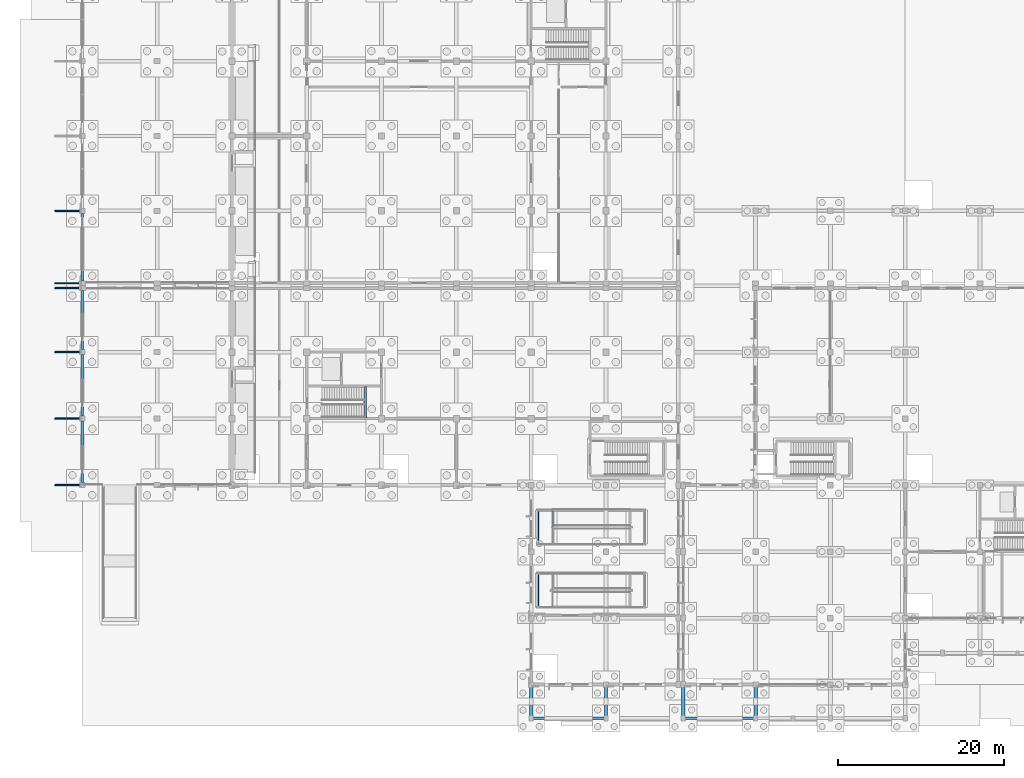
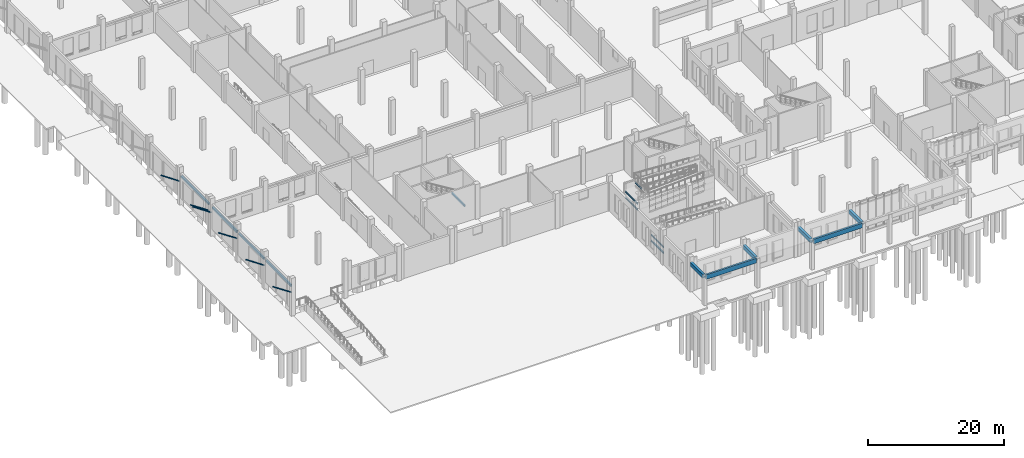
# One storey, part 37 of 99: 16 beams, 6 members.
"""IFC4 building model written with IfcOpenShell, lengths in metres."""

from ifc_helpers import new_model, si_unit, direction, frame, origin, origin_2d, place, context, subcontext, project, spatial, rectangle, hollow_circle, i_section, extrude, material, material_profile, profile_set, type_object, element, save


model = new_model("IFC4")

# Units and contexts
model_context = context("Model", 3, precision=1e-05, world=origin(), true_north=direction((0.0, 1.0)))
body_context = subcontext(model_context, "Body", "Model", "MODEL_VIEW")
ifc_project = project(units=[si_unit("LENGTHUNIT", "METRE"), si_unit("AREAUNIT", "SQUARE_METRE"), si_unit("VOLUMEUNIT", "CUBIC_METRE"), si_unit("PLANEANGLEUNIT", "RADIAN"), si_unit("MASSUNIT", "GRAM", prefix="KILO")], contexts=[model_context])

# Site, building, storey
site_placement = place(None, origin())
site = spatial("IfcSite", under=ifc_project, at=site_placement, CompositionType="ELEMENT")
building_placement = place(site_placement, origin())
building = spatial("IfcBuilding", under=site, at=building_placement, Name="Zacnel Wholesale Market", CompositionType="ELEMENT")
storey_placement = place(building_placement, origin())
storey = spatial("IfcBuildingStorey", under=building, at=storey_placement, Name="L01", CompositionType="ELEMENT", Elevation=0.0)

# Beams
ifc_material_1 = material(Name="Precast concrete C45/55", Category="concrete")
ifc_material_profile_1 = material_profile(ifc_material_1, rectangle(XDim=0.25, YDim=0.35009765625, at=origin_2d()), Name="LN 250x350")
ifc_profile_set_1 = profile_set([ifc_material_profile_1], Name="Precast concrete C45/55")
beam_type_1 = type_object("IfcBeamType", Name="BM-LN350", PredefinedType="LINTEL", material=ifc_profile_set_1)
beam_1_placement = place(storey_placement, frame((0.0, 32.300048828125, 5.080078125), z_axis=(0.0, 1.0, 0.0), x_axis=(-1.0, 0.0, 0.0)))
element("IfcBeam", 1, at=beam_1_placement, inside=storey, type_object=beam_type_1, Name="Precast dock lintel 02", PredefinedType="LINTEL", context=body_context, shape_type="SweptSolid", body=[
    extrude(rectangle(XDim=0.25, YDim=0.35009765625, at=origin_2d()), origin(), (0.0, 0.0, 1.0), 7.39990234375),
])
beam_2_placement = place(storey_placement, frame((0.0, 48.574951171875, 5.080078125), z_axis=(0.0, 1.0, 0.0), x_axis=(-1.0, 0.0, 0.0)))
element("IfcBeam", 2, at=beam_2_placement, inside=storey, type_object=beam_type_1, Name="Precast dock lintel 04", PredefinedType="LINTEL", context=body_context, shape_type="SweptSolid", body=[
    extrude(rectangle(XDim=0.25, YDim=0.35009765625, at=origin_2d()), origin(), (0.0, 0.0, 1.0), 8.125),
])
beam_3_placement = place(storey_placement, frame((34.06005859375, 32.080078125, 2.77490234375), z_axis=(0.0, 1.0, 0.0), x_axis=(-1.0, 0.0, 0.0)))
element("IfcBeam", 3, at=beam_3_placement, inside=storey, type_object=beam_type_1, Name="Stair ST-07 half-landing bearing beam", PredefinedType="LINTEL", context=body_context, shape_type="SweptSolid", body=[
    extrude(rectangle(XDim=0.25, YDim=0.35009765625, at=origin_2d()), origin(), (0.0, 0.0, 1.0), 3.7900390625),
])
ifc_material_2 = material(Name="Precast concrete C45/55", Category="concrete")
ifc_material_profile_2 = material_profile(ifc_material_2, rectangle(XDim=0.25, YDim=0.39990234375, at=origin_2d()), Name="LN 250x400")
ifc_profile_set_2 = profile_set([ifc_material_profile_2], Name="Precast concrete C45/55")
beam_type_2 = type_object("IfcBeamType", Name="BM-LN400", PredefinedType="LINTEL", material=ifc_profile_set_2)
beam_4_placement = place(storey_placement, frame((0.0, 24.300048828125, 5.080078125), z_axis=(0.0, 1.0, 0.0), x_axis=(-1.0, 0.0, 0.0)))
element("IfcBeam", 4, at=beam_4_placement, inside=storey, type_object=beam_type_2, Name="Precast dock lintel 01", PredefinedType="LINTEL", context=body_context, shape_type="SweptSolid", body=[
    extrude(rectangle(XDim=0.25, YDim=0.39990234375, at=origin_2d()), origin(), (0.0, 0.0, 1.0), 7.39990234375),
])
beam_5_placement = place(storey_placement, frame((0.0, 40.300048828125, 5.080078125), z_axis=(0.0, 1.0, 0.0), x_axis=(-1.0, 0.0, 0.0)))
element("IfcBeam", 5, at=beam_5_placement, inside=storey, type_object=beam_type_2, Name="Precast dock lintel 03", PredefinedType="LINTEL", context=body_context, shape_type="SweptSolid", body=[
    extrude(rectangle(XDim=0.25, YDim=0.39990234375, at=origin_2d()), origin(), (0.0, 0.0, 1.0), 7.125),
])
ifc_material_3 = material(Name="Precast concrete C45/55", Category="concrete")
ifc_material_profile_3 = material_profile(ifc_material_3, rectangle(XDim=0.39990234375, YDim=0.699951171875, at=origin_2d()), Name="PG 400x700")
ifc_profile_set_3 = profile_set([ifc_material_profile_3], Name="Precast concrete C45/55")
beam_type_3 = type_object("IfcBeamType", Name="BM-PG700", PredefinedType="BEAM", material=ifc_profile_set_3)
for number, where, z_axis, x_axis, name in (
    (6, (54.0, -3.830078125, 4.925048828125), (0.0, 1.0, 0.0), (-1.0, 0.0, 0.0), "Boulevard colonnade cross-beam 01"),
    (7, (63.0, -3.830078125, 4.925048828125), (0.0, 1.0, 0.0), (-1.0, 0.0, 0.0), "Boulevard colonnade cross-beam 02"),
    (8, (72.300048828125, -3.830078125, 4.925048828125), (0.0, 1.0, 0.0), (-1.0, 0.0, 0.0), "Boulevard colonnade cross-beam 03"),
    (9, (81.0, -3.830078125, 4.925048828125), (0.0, 1.0, 0.0), (-1.0, 0.0, 0.0), "Boulevard colonnade cross-beam 04"),
):
    element("IfcBeam", number, at=place(storey_placement, frame(where, z_axis=z_axis, x_axis=x_axis)), inside=storey, type_object=beam_type_3, Name=name, PredefinedType="BEAM", context=body_context, shape_type="SweptSolid", body=[
        extrude(rectangle(XDim=0.39990234375, YDim=0.699951171875, at=origin_2d()), origin(), (0.0, 0.0, 1.0), 3.7099609375),
    ])
ifc_material_4 = material(Name="Precast concrete C45/55", Category="concrete")
ifc_material_profile_4 = material_profile(ifc_material_4, rectangle(XDim=0.320068359375, YDim=0.820068359375, at=origin_2d()), Name="SP 320x820")
ifc_profile_set_4 = profile_set([ifc_material_profile_4], Name="Precast concrete C45/55")
beam_type_4 = type_object("IfcBeamType", Name="BM-SP820", PredefinedType="SPANDREL", material=ifc_profile_set_4)
beam_6_placement = place(storey_placement, frame((54.199951171875, -4.050048828125, 4.864990234375), z_axis=(1.0, 0.0, 0.0), x_axis=(0.0, 1.0, 0.0)))
element("IfcBeam", 10, at=beam_6_placement, inside=storey, type_object=beam_type_4, Name="Boulevard colonnade architrave 01", PredefinedType="SPANDREL", context=body_context, shape_type="SweptSolid", body=[
    extrude(rectangle(XDim=0.320068359375, YDim=0.820068359375, at=origin_2d()), origin(), (0.0, 0.0, 1.0), 8.60009765625),
])
beam_7_placement = place(storey_placement, frame((72.5, -4.050048828125, 4.864990234375), z_axis=(1.0, 0.0, 0.0), x_axis=(0.0, 1.0, 0.0)))
element("IfcBeam", 11, at=beam_7_placement, inside=storey, type_object=beam_type_4, Name="Boulevard colonnade architrave 03", PredefinedType="SPANDREL", context=body_context, shape_type="SweptSolid", body=[
    extrude(rectangle(XDim=0.320068359375, YDim=0.820068359375, at=origin_2d()), origin(), (0.0, 0.0, 1.0), 8.300048828125),
])
ifc_material_5 = material(Name="Steel S355", Category="steel")
ifc_material_profile_5 = material_profile(ifc_material_5, i_section(OverallWidth=0.14599609375, OverallDepth=0.258056640625, WebThickness=0.006103515625, FlangeThickness=0.009033203125, FilletRadius=0.009033203125, at=origin_2d()), Name="W250X32.7")
ifc_profile_set_5 = profile_set([ifc_material_profile_5], Name="Steel S355")
beam_type_5 = type_object("IfcBeamType", Name="BM-STL-W250", PredefinedType="JOIST", material=ifc_profile_set_5)
for number, where, z_axis, x_axis, name in (
    (12, (54.8798828125, 9.47998046875, 0.705078125), (0.0, 1.0, 0.0), (-1.0, 0.0, 0.0), "Accessible ramp RP-03 (RMP-PROM-1A) landing edge beam 2"),
    (13, (54.8798828125, 9.47998046875, 1.7548828125), (0.0, 1.0, 0.0), (-1.0, 0.0, 0.0), "Accessible ramp RP-03 (RMP-PROM-1A) landing edge beam 4"),
    (14, (54.8798828125, 17.080078125, 3.85498046875), (0.0, 1.0, 0.0), (-1.0, 0.0, 0.0), "Accessible ramp RP-03 (RMP-PROM-1B) landing edge beam 2"),
    (15, (54.8798828125, 17.080078125, 4.905029296875), (0.0, 1.0, 0.0), (-1.0, 0.0, 0.0), "Accessible ramp RP-03 (RMP-PROM-1B) landing edge beam 4"),
):
    element("IfcBeam", number, at=place(storey_placement, frame(where, z_axis=z_axis, x_axis=x_axis)), inside=storey, type_object=beam_type_5, Name=name, PredefinedType="JOIST", context=body_context, shape_type="SweptSolid", body=[
        extrude(i_section(OverallWidth=0.14599609375, OverallDepth=0.258056640625, WebThickness=0.006103515625, FlangeThickness=0.009033203125, FilletRadius=0.009033203125, at=origin_2d()), origin(), (0.0, 0.0, 1.0), 3.739990234375),
    ])
beam_8_placement = place(storey_placement, frame((56.60009765625, 18.949951171875, 5.9560546875), z_axis=(0.0, 1.0, 0.0), x_axis=(-1.0, 0.0, 0.0)))
element("IfcBeam", 16, at=beam_8_placement, inside=storey, type_object=beam_type_5, Name="Accessible ramp RP-03 (RMP-PROM-1B) top header beam 6", PredefinedType="JOIST", context=body_context, shape_type="SweptSolid", body=[
    extrude(i_section(OverallWidth=0.14599609375, OverallDepth=0.258056640625, WebThickness=0.006103515625, FlangeThickness=0.009033203125, FilletRadius=0.009033203125, at=origin_2d()), origin(), (0.0, 0.0, 1.0), 1.93505859375),
])

# Members
ifc_material_6 = material(Name="Steel S355", Category="steel")
ifc_material_profile_6 = material_profile(ifc_material_6, hollow_circle(Radius=0.109619140625, WallThickness=0.010009765625, at=origin_2d()), Name="CHS 219.1x10")
ifc_profile_set_6 = profile_set([ifc_material_profile_6], Name="Steel S355")
member_type = type_object("IfcMemberType", Name="MEM-BRC-CHS219", PredefinedType="BRACE", material=ifc_profile_set_6)
member_1_placement = place(storey_placement, frame((-0.14990234375, 24.0, 4.10009765625), z_axis=(-0.832794267747, 0.0, 0.553582611367), x_axis=(0.0, -1.0, 0.0)))
element("IfcMember", 17, at=member_1_placement, inside=storey, type_object=member_type, Name="Dock canopy diagonal brace 01", PredefinedType="BRACE", context=body_context, shape_type="SweptSolid", body=[
    extrude(hollow_circle(Radius=0.109619140625, WallThickness=0.010009765625, at=origin_2d()), origin(), (0.0, 0.0, 1.0), 3.78271484375),
])
member_2_placement = place(storey_placement, frame((-0.14990234375, 32.0, 4.10009765625), z_axis=(-0.826719088587, 0.0, 0.562614920319), x_axis=(0.0, -1.0, 0.0)))
element("IfcMember", 18, at=member_2_placement, inside=storey, type_object=member_type, Name="Dock canopy diagonal brace 02", PredefinedType="BRACE", context=body_context, shape_type="SweptSolid", body=[
    extrude(hollow_circle(Radius=0.109619140625, WallThickness=0.010009765625, at=origin_2d()), origin(), (0.0, 0.0, 1.0), 3.810302734375),
])
member_3_placement = place(storey_placement, frame((-0.14990234375, 40.0, 4.10009765625), z_axis=(-0.832794267747, 0.0, 0.553582611367), x_axis=(0.0, -1.0, 0.0)))
element("IfcMember", 19, at=member_3_placement, inside=storey, type_object=member_type, Name="Dock canopy diagonal brace 03", PredefinedType="BRACE", context=body_context, shape_type="SweptSolid", body=[
    extrude(hollow_circle(Radius=0.109619140625, WallThickness=0.010009765625, at=origin_2d()), origin(), (0.0, 0.0, 1.0), 3.78271484375),
])
member_4_placement = place(storey_placement, frame((-0.14990234375, 47.699951171875, 4.10009765625), z_axis=(-0.826719088587, 0.0, 0.562614920319), x_axis=(0.0, -1.0, 0.0)))
element("IfcMember", 20, at=member_4_placement, inside=storey, type_object=member_type, Name="Dock canopy diagonal brace 04", PredefinedType="BRACE", context=body_context, shape_type="SweptSolid", body=[
    extrude(hollow_circle(Radius=0.109619140625, WallThickness=0.010009765625, at=origin_2d()), origin(), (0.0, 0.0, 1.0), 3.810302734375),
])
member_5_placement = place(storey_placement, frame((-0.14990234375, 48.300048828125, 4.10009765625), z_axis=(-0.832794267747, 0.0, 0.553582611367), x_axis=(0.0, -1.0, 0.0)))
element("IfcMember", 21, at=member_5_placement, inside=storey, type_object=member_type, Name="Dock canopy diagonal brace 05", PredefinedType="BRACE", context=body_context, shape_type="SweptSolid", body=[
    extrude(hollow_circle(Radius=0.109619140625, WallThickness=0.010009765625, at=origin_2d()), origin(), (0.0, 0.0, 1.0), 3.78271484375),
])
member_6_placement = place(storey_placement, frame((-0.14990234375, 57.0, 4.10009765625), z_axis=(-0.826719088587, 0.0, 0.562614920319), x_axis=(0.0, -1.0, 0.0)))
element("IfcMember", 22, at=member_6_placement, inside=storey, type_object=member_type, Name="Dock canopy diagonal brace 06", PredefinedType="BRACE", context=body_context, shape_type="SweptSolid", body=[
    extrude(hollow_circle(Radius=0.109619140625, WallThickness=0.010009765625, at=origin_2d()), origin(), (0.0, 0.0, 1.0), 3.810302734375),
])

save(model, "model.ifc")
